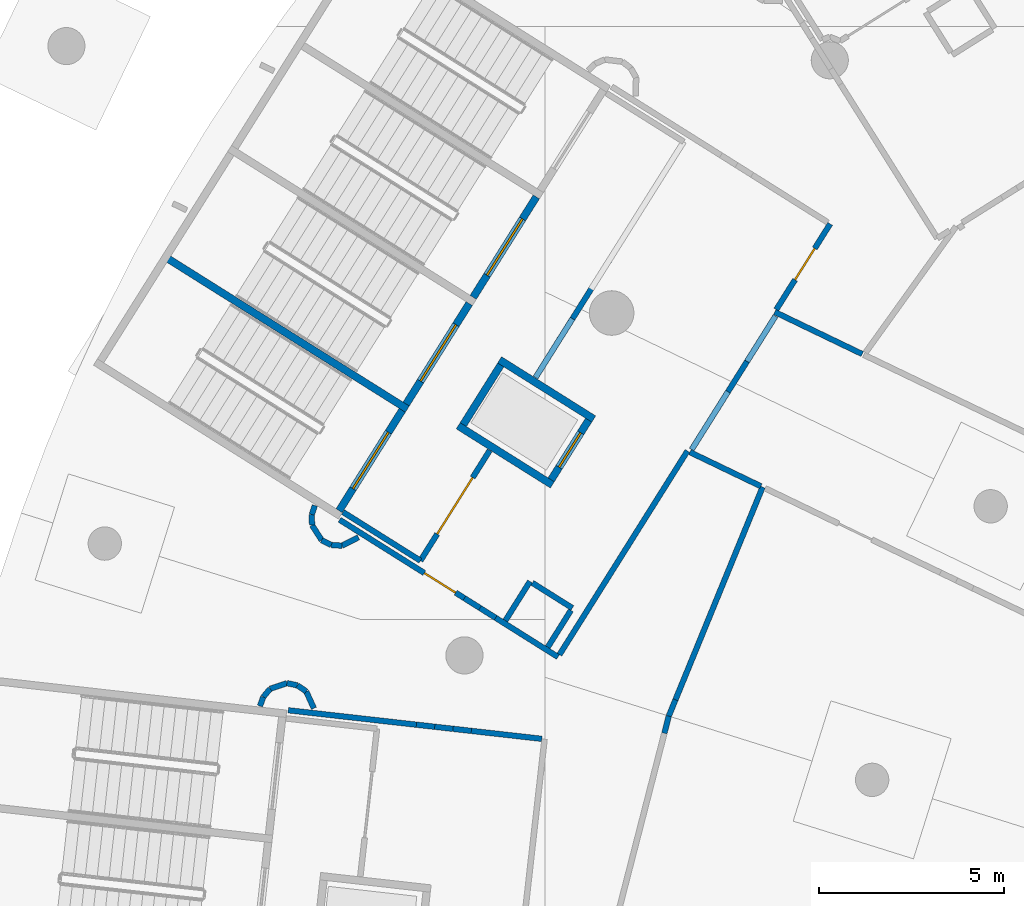
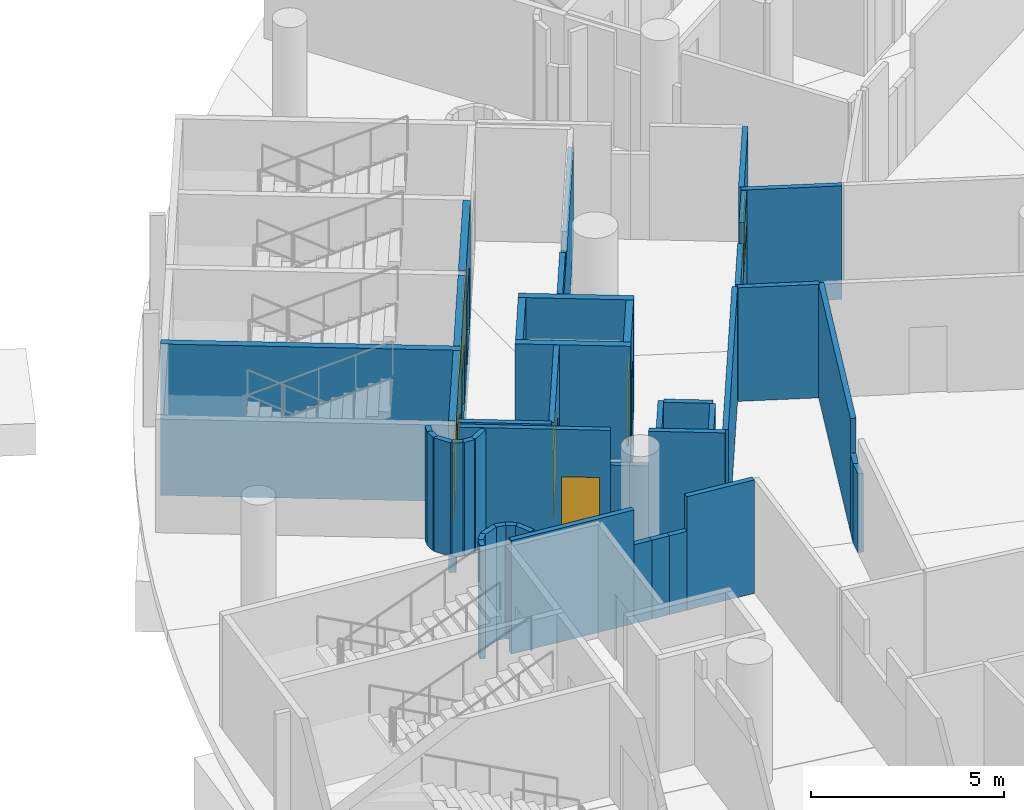
# One storey, part 69 of 142: 46 walls, 7 doors, 7 openings.
"""IFC4 building model written with IfcOpenShell, lengths in metres."""

import ifcopenshell
import ifcopenshell.guid

model = None  # the IFC model being written
_history = None  # IfcOwnerHistory: only IFC2X3 demands one
_inside = {}  # id of a spatial element -> (the spatial element, [elements in it])
_under = {}  # id of a project, library or spatial element -> (it, [spatial elements below it])
_declared = {}  # id of a project -> (the project, [libraries it declares])
_typed = {}  # id of a type object -> (the type object, [elements of that type])
_made_of = {}  # id of a material, layer set ... -> (it, [elements and type objects made of it])


def new_model(schema):
    """Start an empty IFC model of exactly this schema.

    Asked for "IFC4X3", IfcOpenShell would pick the latest addendum, in which some entities
    have other attributes; the version numbers below select the first issue.
    IFC2X3 requires an IfcOwnerHistory on every rooted entity: one is made here for all.
    """
    global model, _history
    if schema == "IFC4X3":
        model = ifcopenshell.file(schema_version=(4, 3, 0, 0))
    else:
        model = ifcopenshell.file(schema=schema)
    _inside.clear()
    _under.clear()
    _declared.clear()
    _typed.clear()
    _made_of.clear()
    _history = None
    if model.schema == "IFC2X3":
        org = make("IfcOrganization", Name="unknown")
        user = make(
            "IfcPersonAndOrganization",
            ThePerson=make("IfcPerson", FamilyName="unknown"),
            TheOrganization=org,
        )
        app = make(
            "IfcApplication",
            ApplicationDeveloper=org,
            Version="unknown",
            ApplicationFullName="unknown",
            ApplicationIdentifier="unknown",
        )
        _history = make(
            "IfcOwnerHistory",
            OwningUser=user,
            OwningApplication=app,
            ChangeAction="ADDED",
            CreationDate=0,
        )
    return model


def make(cls, **values):
    """One entity of the class cls with the attributes given. An attribute that is None is left unset."""
    return model.create_entity(
        cls, **{name: value for name, value in values.items() if value is not None}
    )


def rooted(cls, **values):
    """An entity with a GlobalId (a new one), such as an element, a storey or a relation."""
    return make(cls, GlobalId=ifcopenshell.guid.new(), OwnerHistory=_history, **values)


def si_unit(unit_type, name, prefix=None):
    """IfcSIUnit, for example si_unit("LENGTHUNIT", "METRE", prefix="MILLI")."""
    return make("IfcSIUnit", UnitType=unit_type, Prefix=prefix, Name=name)


def assignment(units):
    """IfcUnitAssignment: the units of a project."""
    return None if units is None else make("IfcUnitAssignment", Units=units)


def point(xyz):
    """IfcCartesianPoint."""
    return None if xyz is None else make("IfcCartesianPoint", Coordinates=xyz)


def direction(xyz):
    """IfcDirection."""
    return None if xyz is None else make("IfcDirection", DirectionRatios=xyz)


def frame(location, z_axis=None, x_axis=None):
    """IfcAxis2Placement3D, a coordinate frame: its origin and axes. An axis left out is left unset."""
    return make(
        "IfcAxis2Placement3D",
        Location=point(location),
        Axis=direction(z_axis),
        RefDirection=direction(x_axis),
    )


def frame_2d(location, x_axis=None):
    """IfcAxis2Placement2D, a coordinate frame in the plane: its origin and x axis."""
    return make(
        "IfcAxis2Placement2D", Location=point(location), RefDirection=direction(x_axis)
    )


def origin():
    """The frame at (0, 0, 0) with its axes left unset."""
    return frame((0.0, 0.0, 0.0))


def place(relative_to, where):
    """IfcLocalPlacement: puts the frame where relative to a parent placement (None: the world)."""
    return make(
        "IfcLocalPlacement", PlacementRelTo=relative_to, RelativePlacement=where
    )


def context(
    kind, dimensions, precision=None, world=None, true_north=None, identifier=None
):
    """IfcGeometricRepresentationContext, for example the 3D "Model" context."""
    return make(
        "IfcGeometricRepresentationContext",
        ContextIdentifier=identifier,
        ContextType=kind,
        CoordinateSpaceDimension=dimensions,
        Precision=precision,
        WorldCoordinateSystem=world,
        TrueNorth=true_north,
    )


def subcontext(parent, identifier, kind, view, scale=None):
    """IfcGeometricRepresentationSubContext, for example "Body" below "Model"."""
    return make(
        "IfcGeometricRepresentationSubContext",
        ContextIdentifier=identifier,
        ContextType=kind,
        ParentContext=parent,
        TargetScale=scale,
        TargetView=view,
    )


def project(units=None, contexts=None):
    """IfcProject with its units and contexts."""
    return rooted(
        "IfcProject",
        Name="project",
        RepresentationContexts=contexts,
        UnitsInContext=assignment(units),
    )


def spatial(cls, under=None, at=None, **own):
    """A site, building, storey or space (cls), placed at a placement, below another one or the project."""
    s = rooted(cls, ObjectPlacement=at, **own)
    if under is not None:
        _under.setdefault(under.id(), (under, []))[1].append(s)
    return s


def profile(cls, at=None, kind="AREA", **sizes):
    """A parametric profile (cls). Its sizes go by their IFC names, for example OverallWidth=200.0."""
    return make(cls, ProfileType=kind, Position=at, **sizes)


def rectangle(**sizes):
    """IfcRectangleProfileDef."""
    return profile("IfcRectangleProfileDef", **sizes)


def extrude(swept, where, along, depth):
    """IfcExtrudedAreaSolid: the profile swept, set in the frame where, extruded along a direction by depth."""
    return make(
        "IfcExtrudedAreaSolid",
        SweptArea=swept,
        Position=where,
        ExtrudedDirection=direction(along),
        Depth=depth,
    )


def shape(context_of_items, identifier, shape_type, items):
    """IfcShapeRepresentation: the items that make up one representation, for example the "Body"."""
    return make(
        "IfcShapeRepresentation",
        ContextOfItems=context_of_items,
        RepresentationIdentifier=identifier,
        RepresentationType=shape_type,
        Items=items,
    )


def material(Name=None, Category=None):
    """IfcMaterial."""
    return make("IfcMaterial", Name=Name, Category=Category)


def layer(
    of_material, thickness, ventilated=None, Name=None, Category=None, Priority=None
):
    """IfcMaterialLayer: one layer of a wall or slab, of a material (None: an air gap)."""
    return make(
        "IfcMaterialLayer",
        Material=of_material,
        LayerThickness=thickness,
        IsVentilated=ventilated,
        Name=Name,
        Category=Category,
        Priority=Priority,
    )


def layer_set(layers, Name=None):
    """IfcMaterialLayerSet."""
    return make("IfcMaterialLayerSet", MaterialLayers=layers, LayerSetName=Name)


def made_of(thing, what):
    """Note that an element or type object is made of a material, layer set ...; save() writes the relation."""
    if what is not None:
        _made_of.setdefault(what.id(), (what, []))[1].append(thing)
    return thing


def type_object(cls, material=None, **own):
    """A type object (cls), such as IfcWallType, which elements share."""
    return made_of(rooted(cls, **own), material)


def element(
    cls,
    number,
    at=None,
    inside=None,
    cuts=None,
    type_object=None,
    material=None,
    context=None,
    identifier="Body",
    shape_type=None,
    held_by="IfcProductDefinitionShape",
    body=None,
    shapes=None,
    **own,
):
    """One element of the class cls, such as IfcWall. Its Tag is "e" and its number.

    at: its placement. inside: the storey or other place that contains it. cuts: it is an
    opening in that element (IfcRelVoidsElement). A single representation is given by context,
    identifier, shape_type and body (its items); several are given by shapes. held_by: the class
    of the entity that holds the representations. save() writes the other relations.
    """
    e = rooted(cls, Tag="e%d" % number, ObjectPlacement=at, **own)
    if body is not None:
        shapes = [shape(context, identifier, shape_type, body)]
    if shapes is not None:
        e.Representation = make(held_by, Representations=shapes)
    if inside is not None:
        _inside.setdefault(inside.id(), (inside, []))[1].append(e)
    if cuts is not None:
        rooted(
            "IfcRelVoidsElement", RelatingBuildingElement=cuts, RelatedOpeningElement=e
        )
    if type_object is not None:
        _typed.setdefault(type_object.id(), (type_object, []))[1].append(e)
    return made_of(e, material)


def fill(opening, filler):
    """IfcRelFillsElement: the door or window that sits in an opening."""
    return rooted(
        "IfcRelFillsElement",
        RelatingOpeningElement=opening,
        RelatedBuildingElement=filler,
    )


def aggregate(whole, parts):
    """IfcRelAggregates: a whole, such as a stair, and the parts it consists of."""
    return rooted("IfcRelAggregates", RelatingObject=whole, RelatedObjects=parts)


def save(model, path):
    """Write the relations noted so far, then the file.

    IfcRelAggregates (storeys below a building ...), IfcRelContainedInSpatialStructure (elements
    in a storey), IfcRelDefinesByType, IfcRelAssociatesMaterial and IfcRelDeclares: one each for
    every whole, place, type object, material and project.
    """
    for whole, parts in _under.values():
        aggregate(whole, parts)
    for where, things in _inside.values():
        rooted(
            "IfcRelContainedInSpatialStructure",
            RelatedElements=things,
            RelatingStructure=where,
        )
    for kind, things in _typed.values():
        rooted("IfcRelDefinesByType", RelatedObjects=things, RelatingType=kind)
    for what, things in _made_of.values():
        rooted("IfcRelAssociatesMaterial", RelatedObjects=things, RelatingMaterial=what)
    for by, libraries in _declared.values():
        rooted("IfcRelDeclares", RelatingContext=by, RelatedDefinitions=libraries)
    model.write(path)


model = new_model("IFC4")

# Units and contexts
model_context = context("Model", 3, precision=1e-05, world=origin(), true_north=direction((0.0, 1.0)))
body_context = subcontext(model_context, "Body", "Model", "MODEL_VIEW")
ifc_project = project(units=[si_unit("LENGTHUNIT", "METRE"), si_unit("AREAUNIT", "SQUARE_METRE"), si_unit("VOLUMEUNIT", "CUBIC_METRE"), si_unit("PLANEANGLEUNIT", "RADIAN"), si_unit("MASSUNIT", "GRAM", prefix="KILO")], contexts=[model_context])

# Site, building, storey
site_placement = place(None, origin())
site = spatial("IfcSite", under=ifc_project, at=site_placement, CompositionType="ELEMENT")
building_placement = place(site_placement, origin())
building = spatial("IfcBuilding", under=site, at=building_placement, Name="Meseta Stadium", CompositionType="ELEMENT")
storey_placement = place(building_placement, frame((0.0, 0.0, -4.0)))
storey = spatial("IfcBuildingStorey", under=building, at=storey_placement, Name="B1", CompositionType="ELEMENT", Elevation=-4.0)

# Wall
ifc_material_1 = material(Name="Concrete C40/50", Category="concrete")
ifc_layer_1 = layer(ifc_material_1, 0.199951171875)
ifc_layer_set_1 = layer_set([ifc_layer_1], Name="Core divider wall 200")
wall_type_1 = type_object("IfcWallType", Name="Core divider wall 200", PredefinedType="SHEAR", material=ifc_layer_set_1)
wall_1_placement = place(storey_placement, frame((-90.314453125, 73.8291015625, -1.199951171875), z_axis=(0.0, 0.0, 1.0), x_axis=(0.846722763703, -0.532034361135, 0.0)))
element("IfcWall", 1, at=wall_1_placement, inside=storey, type_object=wall_type_1, Name="Core 14 B1 stair B divider wall", PredefinedType="SHEAR", context=body_context, shape_type="SweptSolid", body=[
    extrude(rectangle(XDim=7.800048828125, YDim=0.199951171875, at=frame_2d((3.89990234375, 0.0))), origin(), (0.0, 0.0, 1.0), 4.800048828125),
])

# Wall, opening, door
ifc_material_2 = material(Name="Concrete C40/50", Category="concrete")
ifc_layer_2 = layer(ifc_material_2, 0.199951171875)
ifc_layer_set_2 = layer_set([ifc_layer_2], Name="Core shaft wall 200")
wall_type_2 = type_object("IfcWallType", Name="Core shaft wall 200", PredefinedType="SHEAR", material=ifc_layer_set_2)
wall_2_placement = place(storey_placement, frame((-80.22998046875, 75.405517578125, -1.199951171875), z_axis=(0.0, 0.0, 1.0), x_axis=(-0.53206841829, -0.84670136309, 0.0)))
wall_2 = element("IfcWall", 2, at=wall_2_placement, inside=storey, type_object=wall_type_2, Name="Core 14 B1 stair A2 inner end wall", PredefinedType="SHEAR", context=body_context, shape_type="SweptSolid", body=[
    extrude(rectangle(XDim=3.199951171875, YDim=0.199951171875, at=frame_2d((1.60009765625, 0.0))), origin(), (0.0, 0.0, 1.0), 4.800048828125),
])
opening_1_placement = place(wall_2_placement, frame((0.699951171875, 0.0, 1.199951171875)))
opening_1 = element("IfcOpeningElement", 3, at=opening_1_placement, cuts=wall_2, Name="Opening D188", PredefinedType="OPENING", context=body_context, shape_type="SweptSolid", body=[
    extrude(rectangle(XDim=1.800048828125, YDim=2.10009765625, at=frame_2d((0.89990234375, 1.050048828125))), frame((0.0, 0.10986328125, 0.0), z_axis=(0.0, -1.0, 0.0), x_axis=(1.0, 0.0, 0.0)), (0.0, 0.0, 1.0), 0.219970703125),
])
ifc_material_3 = material(Name="Steel", Category="steel")
door_type_1 = type_object("IfcDoorType", Name="Stair door 1800x2100", OperationType="DOUBLE_DOOR_SINGLE_SWING", PredefinedType="DOOR", material=ifc_material_3)
door_1_placement = place(opening_1_placement, origin())
door_1 = element("IfcDoor", 4, at=door_1_placement, inside=storey, type_object=door_type_1, Name="Stair A2 door 14 B1", OperationType="DOUBLE_DOOR_SINGLE_SWING", OverallHeight=2.10009765625, OverallWidth=1.800048828125, PredefinedType="DOOR", context=body_context, shape_type="SweptSolid", body=[
    extrude(rectangle(XDim=1.800048828125, YDim=2.10009765625, at=frame_2d((0.89990234375, 1.050048828125))), frame((0.0, 0.02490234375, 0.0), z_axis=(0.0, -1.0, 0.0), x_axis=(1.0, 0.0, 0.0)), (0.0, 0.0, 1.0), 0.050048828125),
])
fill(opening_1, door_1)

wall_3_placement = place(storey_placement, frame((-82.0390625, 72.526611328125, -1.199951171875), z_axis=(0.0, 0.0, 1.0), x_axis=(-0.532013720158, -0.846735733015, 0.0)))
wall_3 = element("IfcWall", 5, at=wall_3_placement, inside=storey, type_object=wall_type_2, Name="Core 14 B1 stair B1 inner end wall", PredefinedType="SHEAR", context=body_context, shape_type="SweptSolid", body=[
    extrude(rectangle(XDim=3.199951171875, YDim=0.199951171875, at=frame_2d((1.60009765625, 0.0))), origin(), (0.0, 0.0, 1.0), 4.800048828125),
])
opening_2_placement = place(wall_3_placement, frame((0.673095703125, 0.0, 1.199951171875)))
opening_2 = element("IfcOpeningElement", 6, at=opening_2_placement, cuts=wall_3, Name="Opening D189", PredefinedType="OPENING", context=body_context, shape_type="SweptSolid", body=[
    extrude(rectangle(XDim=1.800048828125, YDim=2.10009765625, at=frame_2d((0.89990234375, 1.050048828125))), frame((0.0, 0.10986328125, 0.0), z_axis=(0.0, -1.0, 0.0), x_axis=(1.0, 0.0, 0.0)), (0.0, 0.0, 1.0), 0.219970703125),
])
door_2_placement = place(opening_2_placement, origin())
door_2 = element("IfcDoor", 7, at=door_2_placement, inside=storey, type_object=door_type_1, Name="Stair B1 door 14 B1", OperationType="DOUBLE_DOOR_SINGLE_SWING", OverallHeight=2.10009765625, OverallWidth=1.800048828125, PredefinedType="DOOR", context=body_context, shape_type="SweptSolid", body=[
    extrude(rectangle(XDim=1.800048828125, YDim=2.10009765625, at=frame_2d((0.89990234375, 1.050048828125))), frame((0.0, 0.02490234375, 0.0), z_axis=(0.0, -1.0, 0.0), x_axis=(1.0, 0.0, 0.0)), (0.0, 0.0, 1.0), 0.050048828125),
])
fill(opening_2, door_2)

wall_4_placement = place(storey_placement, frame((-83.847900390625, 69.647705078125, -1.199951171875), z_axis=(0.0, 0.0, 1.0), x_axis=(-0.532013720158, -0.846735733015, 0.0)))
wall_4 = element("IfcWall", 8, at=wall_4_placement, inside=storey, type_object=wall_type_2, Name="Core 14 B1 stair B2 inner end wall", PredefinedType="SHEAR", context=body_context, shape_type="SweptSolid", body=[
    extrude(rectangle(XDim=3.199951171875, YDim=0.199951171875, at=frame_2d((1.60009765625, 0.0))), origin(), (0.0, 0.0, 1.0), 4.800048828125),
])
opening_3_placement = place(wall_4_placement, frame((0.699951171875, 0.0, 1.199951171875)))
opening_3 = element("IfcOpeningElement", 9, at=opening_3_placement, cuts=wall_4, Name="Opening D190", PredefinedType="OPENING", context=body_context, shape_type="SweptSolid", body=[
    extrude(rectangle(XDim=1.800048828125, YDim=2.10009765625, at=frame_2d((0.89990234375, 1.050048828125))), frame((0.0, 0.10986328125, 0.0), z_axis=(0.0, -1.0, 0.0), x_axis=(1.0, 0.0, 0.0)), (0.0, 0.0, 1.0), 0.219970703125),
])
door_3_placement = place(opening_3_placement, origin())
door_3 = element("IfcDoor", 10, at=door_3_placement, inside=storey, type_object=door_type_1, Name="Stair B2 door 14 B1", OperationType="DOUBLE_DOOR_SINGLE_SWING", OverallHeight=2.10009765625, OverallWidth=1.800048828125, PredefinedType="DOOR", context=body_context, shape_type="SweptSolid", body=[
    extrude(rectangle(XDim=1.800048828125, YDim=2.10009765625, at=frame_2d((0.89990234375, 1.050048828125))), frame((0.0, 0.02490234375, 0.0), z_axis=(0.0, -1.0, 0.0), x_axis=(1.0, 0.0, 0.0)), (0.0, 0.0, 1.0), 0.050048828125),
])
fill(opening_3, door_3)

# Walls
for number, where, z_axis, x_axis, name in (
    (11, (-81.22119140625, 71.0087890625, -1.199951171875), (0.0, 0.0, 1.0), (0.846757002027, -0.531979867588, 0.0), "Core 14 B1 lift shaft wall left"),
    (12, (-82.33837890625, 69.230712890625, -1.199951171875), (0.0, 0.0, 1.0), (0.846757002027, -0.531979867588, 0.0), "Core 14 B1 lift shaft wall right"),
):
    element("IfcWall", number, at=place(storey_placement, frame(where, z_axis=z_axis, x_axis=x_axis)), inside=storey, type_object=wall_type_2, Name=name, PredefinedType="SHEAR", context=body_context, shape_type="SweptSolid", body=[
        extrude(rectangle(XDim=3.0, YDim=0.199951171875, at=frame_2d((1.5, 0.0))), origin(), (0.0, 0.0, 1.0), 4.800048828125),
    ])
wall_5_placement = place(storey_placement, frame((-81.189697265625, 70.87109375, -1.199951171875), z_axis=(0.0, 0.0, 1.0), x_axis=(-0.531961007765, -0.846768850524, 0.0)))
element("IfcWall", 13, at=wall_5_placement, inside=storey, type_object=wall_type_2, Name="Core 14 B1 lift shaft back wall", PredefinedType="SHEAR", context=body_context, shape_type="SweptSolid", body=[
    extrude(rectangle(XDim=1.900146484375, YDim=0.199951171875, at=frame_2d((0.9501953125, 0.0))), origin(), (0.0, 0.0, 1.0), 4.800048828125),
])

# Wall, opening, door
wall_6_placement = place(storey_placement, frame((-78.81884765625, 69.38134765625, -1.199951171875), z_axis=(0.0, 0.0, 1.0), x_axis=(-0.532018892235, -0.846732483318, 0.0)))
wall_6 = element("IfcWall", 14, at=wall_6_placement, inside=storey, type_object=wall_type_2, Name="Core 14 B1 lift shaft front wall", PredefinedType="SHEAR", context=body_context, shape_type="SweptSolid", body=[
    extrude(rectangle(XDim=1.89990234375, YDim=0.199951171875, at=frame_2d((0.949951171875, 0.0))), origin(), (0.0, 0.0, 1.0), 4.800048828125),
])
opening_4_placement = place(wall_6_placement, frame((0.39990234375, 0.0, 1.199951171875)))
opening_4 = element("IfcOpeningElement", 15, at=opening_4_placement, cuts=wall_6, Name="Opening LD73", PredefinedType="OPENING", context=body_context, shape_type="SweptSolid", body=[
    extrude(rectangle(XDim=1.10009765625, YDim=2.10009765625, at=frame_2d((0.550048828125, 1.050048828125))), frame((0.0, 0.10986328125, 0.0), z_axis=(0.0, -1.0, 0.0), x_axis=(1.0, 0.0, 0.0)), (0.0, 0.0, 1.0), 0.219970703125),
])
ifc_material_4 = material(Name="Steel", Category="steel")
door_type_2 = type_object("IfcDoorType", Name="Lift landing door 1100x2100", OperationType="SLIDING_TO_LEFT", PredefinedType="DOOR", material=ifc_material_4)
door_4_placement = place(opening_4_placement, origin())
door_4 = element("IfcDoor", 16, at=door_4_placement, inside=storey, type_object=door_type_2, Name="Lift landing door LD73", OperationType="SLIDING_TO_LEFT", OverallHeight=2.10009765625, OverallWidth=1.10009765625, PredefinedType="DOOR", context=body_context, shape_type="SweptSolid", body=[
    extrude(rectangle(XDim=1.10009765625, YDim=2.10009765625, at=frame_2d((0.550048828125, 1.050048828125))), frame((0.0, 0.02490234375, 0.0), z_axis=(0.0, -1.0, 0.0), x_axis=(1.0, 0.0, 0.0)), (0.0, 0.0, 1.0), 0.050048828125),
])
fill(opening_4, door_4)

# Wall
ifc_material_5 = material(Name="Masonry blockwork", Category="masonry")
ifc_layer_3 = layer(ifc_material_5, 0.14990234375)
ifc_layer_set_3 = layer_set([ifc_layer_3], Name="Partition 150")
wall_type_3 = type_object("IfcWallType", Name="Partition 150", PredefinedType="PARTITIONING", material=ifc_layer_set_3)
wall_7_placement = place(storey_placement, frame((-71.437255859375, 71.165283203125, 0.0), z_axis=(0.0, 0.0, 1.0), x_axis=(-0.901204092293, 0.433394951556, 0.0)))
element("IfcWall", 17, at=wall_7_placement, inside=storey, type_object=wall_type_3, Name="Partition B1 B1-cell12-3-0", PredefinedType="PARTITIONING", context=body_context, shape_type="SweptSolid", body=[
    extrude(rectangle(XDim=2.61767578125, YDim=0.14990234375, at=frame_2d((1.308837890625, 0.0))), origin(), (0.0, 0.0, 1.0), 3.60009765625),
])

# Wall, opening, door
wall_8_placement = place(storey_placement, frame((-73.756103515625, 72.36376953125, 0.0), z_axis=(0.0, 0.0, 1.0), x_axis=(0.532054374811, 0.846710187871, 0.0)))
wall_8 = element("IfcWall", 18, at=wall_8_placement, inside=storey, type_object=wall_type_3, Name="Partition B1 B1-cell12-3-0", PredefinedType="PARTITIONING", context=body_context, shape_type="SweptSolid", body=[
    extrude(rectangle(XDim=2.731201171875, YDim=0.14990234375, at=frame_2d((1.36572265625, 0.0))), origin(), (0.0, 0.0, 1.0), 3.60009765625),
])
opening_5_placement = place(wall_8_placement, frame((0.949951171875, 0.0, 0.0)))
opening_5 = element("IfcOpeningElement", 19, at=opening_5_placement, cuts=wall_8, Name="Opening D469", PredefinedType="OPENING", context=body_context, shape_type="SweptSolid", body=[
    extrude(rectangle(XDim=1.0, YDim=2.10009765625, at=frame_2d((0.5, 1.050048828125))), frame((0.0, 0.0849609375, 0.0), z_axis=(0.0, -1.0, 0.0), x_axis=(1.0, 0.0, 0.0)), (0.0, 0.0, 1.0), 0.169921875),
])
ifc_material_6 = material(Name="Steel", Category="steel")
door_type_3 = type_object("IfcDoorType", Name="Fire door 1000x2100 EI2 60", OperationType="NOTDEFINED", PredefinedType="DOOR", material=ifc_material_6)
door_5_placement = place(opening_5_placement, origin())
door_5 = element("IfcDoor", 20, at=door_5_placement, inside=storey, type_object=door_type_3, Name="Door D469", OperationType="SINGLE_SWING_RIGHT", OverallHeight=2.10009765625, OverallWidth=1.0, PredefinedType="DOOR", context=body_context, shape_type="SweptSolid", body=[
    extrude(rectangle(XDim=1.0, YDim=2.10009765625, at=frame_2d((0.5, 1.050048828125))), frame((0.0, 0.02490234375, 0.0), z_axis=(0.0, -1.0, 0.0), x_axis=(1.0, 0.0, 0.0)), (0.0, 0.0, 1.0), 0.050048828125),
])
fill(opening_5, door_5)

# Walls
wall_9_placement = place(storey_placement, frame((-76.775146484375, 60.935791015625, 0.0), z_axis=(0.0, 0.0, 1.0), x_axis=(0.248917503773, 0.968524690607, 0.0)))
element("IfcWall", 21, at=wall_9_placement, inside=storey, type_object=wall_type_3, Name="Partition B1 B1-cell13-2-0", PredefinedType="PARTITIONING", context=body_context, shape_type="SweptSolid", body=[
    extrude(rectangle(XDim=0.4765625, YDim=0.14990234375, at=frame_2d((0.23828125, 0.0))), origin(), (0.0, 0.0, 1.0), 2.5),
])
wall_10_placement = place(storey_placement, frame((-76.656494140625, 61.3974609375, 0.0), z_axis=(0.0, 0.0, 1.0), x_axis=(0.379230600794, 0.925302194649, 0.0)))
element("IfcWall", 22, at=wall_10_placement, inside=storey, type_object=wall_type_3, Name="Partition B1 B1-cell13-2-0", PredefinedType="PARTITIONING", context=body_context, shape_type="SweptSolid", body=[
    extrude(rectangle(XDim=0.47705078125, YDim=0.14990234375, at=frame_2d((0.238525390625, 0.0))), origin(), (0.0, 0.0, 1.0), 2.5),
])
wall_11_placement = place(storey_placement, frame((-76.4755859375, 61.8388671875, 0.0), z_axis=(0.0, 0.0, 1.0), x_axis=(0.3791112098, 0.92535111747, 0.0)))
element("IfcWall", 23, at=wall_11_placement, inside=storey, type_object=wall_type_3, Name="Partition B1 B1-cell13-2-0", PredefinedType="PARTITIONING", context=body_context, shape_type="SweptSolid", body=[
    extrude(rectangle(XDim=6.19970703125, YDim=0.14990234375, at=frame_2d((3.099853515625, 0.0))), origin(), (0.0, 0.0, 1.0), 3.60009765625),
])
wall_12_placement = place(storey_placement, frame((-80.081787109375, 60.78369140625, 0.0), z_axis=(0.0, 0.0, 1.0), x_axis=(-0.993706666168, 0.112013667081, 0.0)))
element("IfcWall", 24, at=wall_12_placement, inside=storey, type_object=wall_type_3, Name="Partition B1 B1-cell13-3-0", PredefinedType="PARTITIONING", context=body_context, shape_type="SweptSolid", body=[
    extrude(rectangle(XDim=1.91357421875, YDim=0.14990234375, at=frame_2d((0.956787109375, 0.0))), origin(), (0.0, 0.0, 1.0), 3.60009765625),
])
wall_13_placement = place(storey_placement, frame((-81.9833984375, 60.998046875, 0.0), z_axis=(0.0, 0.0, 1.0), x_axis=(-0.99371494251, 0.111940220797, 0.0)))
element("IfcWall", 25, at=wall_13_placement, inside=storey, type_object=wall_type_3, Name="Partition B1 B1-cell13-3-0", PredefinedType="PARTITIONING", context=body_context, shape_type="SweptSolid", body=[
    extrude(rectangle(XDim=0.497314453125, YDim=0.14990234375, at=frame_2d((0.24853515625, 0.0))), origin(), (0.0, 0.0, 1.0), 2.5),
])
wall_14_placement = place(storey_placement, frame((-82.4775390625, 61.0537109375, 0.0), z_axis=(0.0, 0.0, 1.0), x_axis=(-0.993708785902, 0.111994860695, 0.0)))
element("IfcWall", 26, at=wall_14_placement, inside=storey, type_object=wall_type_3, Name="Partition B1 B1-cell13-3-0", PredefinedType="PARTITIONING", context=body_context, shape_type="SweptSolid", body=[
    extrude(rectangle(XDim=0.4970703125, YDim=0.14990234375, at=frame_2d((0.24853515625, 0.0))), origin(), (0.0, 0.0, 1.0), 2.5),
])
wall_15_placement = place(storey_placement, frame((-82.971435546875, 61.109375, 0.0), z_axis=(0.0, 0.0, 1.0), x_axis=(-0.99371494251, 0.111940220797, 0.0)))
element("IfcWall", 27, at=wall_15_placement, inside=storey, type_object=wall_type_3, Name="Partition B1 B1-cell13-3-0", PredefinedType="PARTITIONING", context=body_context, shape_type="SweptSolid", body=[
    extrude(rectangle(XDim=0.497314453125, YDim=0.14990234375, at=frame_2d((0.24853515625, 0.0))), origin(), (0.0, 0.0, 1.0), 2.5),
])
wall_16_placement = place(storey_placement, frame((-83.465576171875, 61.1650390625, 0.0), z_axis=(0.0, 0.0, 1.0), x_axis=(-0.993711425552, 0.111971437107, 0.0)))
element("IfcWall", 28, at=wall_16_placement, inside=storey, type_object=wall_type_3, Name="Partition B1 B1-cell13-3-0", PredefinedType="PARTITIONING", context=body_context, shape_type="SweptSolid", body=[
    extrude(rectangle(XDim=3.47998046875, YDim=0.14990234375, at=frame_2d((1.739990234375, 0.0))), origin(), (0.0, 0.0, 1.0), 3.60009765625),
])

# Wall, opening, door
wall_17_placement = place(storey_placement, frame((-85.5380859375, 66.694580078125, 0.0), z_axis=(0.0, 0.0, 1.0), x_axis=(0.84671635408, -0.532044561793, 0.0)))
wall_17 = element("IfcWall", 29, at=wall_17_placement, inside=storey, type_object=wall_type_3, Name="Partition B1 B1-cell13-3-0", PredefinedType="PARTITIONING", context=body_context, shape_type="SweptSolid", body=[
    extrude(rectangle(XDim=3.97705078125, YDim=0.14990234375, at=frame_2d((1.988525390625, 0.0))), origin(), (0.0, 0.0, 1.0), 3.60009765625),
])
opening_6_placement = place(wall_17_placement, frame((2.699951171875, 0.0, 0.0)))
opening_6 = element("IfcOpeningElement", 30, at=opening_6_placement, cuts=wall_17, Name="Opening D472", PredefinedType="OPENING", context=body_context, shape_type="SweptSolid", body=[
    extrude(rectangle(XDim=1.0, YDim=2.10009765625, at=frame_2d((0.5, 1.050048828125))), frame((0.0, 0.0849609375, 0.0), z_axis=(0.0, -1.0, 0.0), x_axis=(1.0, 0.0, 0.0)), (0.0, 0.0, 1.0), 0.169921875),
])
door_6_placement = place(opening_6_placement, origin())
door_6 = element("IfcDoor", 31, at=door_6_placement, inside=storey, type_object=door_type_3, Name="Door D472", OperationType="SINGLE_SWING_RIGHT", OverallHeight=2.10009765625, OverallWidth=1.0, PredefinedType="DOOR", context=body_context, shape_type="SweptSolid", body=[
    extrude(rectangle(XDim=1.0, YDim=2.10009765625, at=frame_2d((0.5, 1.050048828125))), frame((0.0, 0.02490234375, 0.0), z_axis=(0.0, -1.0, 0.0), x_axis=(1.0, 0.0, 0.0)), (0.0, 0.0, 1.0), 0.050048828125),
])
fill(opening_6, door_6)

# Walls
for number, where, z_axis, x_axis, name in (
    (32, (-82.170654296875, 64.57861328125, 0.0), (0.0, 0.0, 1.0), (0.846560685875, -0.532292217801, 0.0), "Partition B1 B1-cell13-3-0"),
    (33, (-81.749755859375, 64.31396484375, 0.0), (0.0, 0.0, 1.0), (0.846781943841, -0.531940165418, 0.0), "Partition B1 B1-cell13-3-0"),
):
    element("IfcWall", number, at=place(storey_placement, frame(where, z_axis=z_axis, x_axis=x_axis)), inside=storey, type_object=wall_type_3, Name=name, PredefinedType="PARTITIONING", context=body_context, shape_type="SweptSolid", body=[
        extrude(rectangle(XDim=0.4970703125, YDim=0.14990234375, at=frame_2d((0.24853515625, 0.0))), origin(), (0.0, 0.0, 1.0), 2.5),
    ])
wall_18_placement = place(storey_placement, frame((-81.328857421875, 64.049560546875, 0.0), z_axis=(0.0, 0.0, 1.0), x_axis=(0.84670607735, -0.532060916229, 0.0)))
element("IfcWall", 34, at=wall_18_placement, inside=storey, type_object=wall_type_3, Name="Partition B1 B1-cell13-3-0", PredefinedType="PARTITIONING", context=body_context, shape_type="SweptSolid", body=[
    extrude(rectangle(XDim=1.98876953125, YDim=0.14990234375, at=frame_2d((0.994384765625, 0.0))), origin(), (0.0, 0.0, 1.0), 3.60009765625),
])
wall_19_placement = place(storey_placement, frame((-79.605224609375, 63.054931640625, 0.0), z_axis=(0.0, 0.0, 1.0), x_axis=(0.532032873767, 0.846723698281, 0.0)))
element("IfcWall", 35, at=wall_19_placement, inside=storey, type_object=wall_type_3, Name="Partition B1 B1-cell13-3-0", PredefinedType="PARTITIONING", context=body_context, shape_type="SweptSolid", body=[
    extrude(rectangle(XDim=6.490478515625, YDim=0.14990234375, at=frame_2d((3.2451171875, 0.0))), origin(), (0.0, 0.0, 1.0), 3.60009765625),
])
wall_20_placement = place(storey_placement, frame((-76.083984375, 68.517822265625, 0.0), z_axis=(0.0, 0.0, 1.0), x_axis=(0.901196299468, -0.433411155631, 0.0)))
element("IfcWall", 36, at=wall_20_placement, inside=storey, type_object=wall_type_3, Name="Partition B1 B1-cell13-3-0", PredefinedType="PARTITIONING", context=body_context, shape_type="SweptSolid", body=[
    extrude(rectangle(XDim=2.12353515625, YDim=0.14990234375, at=frame_2d((1.061767578125, 0.0))), origin(), (0.0, 0.0, 1.0), 3.60009765625),
])
wall_21_placement = place(storey_placement, frame((-80.400634765625, 65.03125, 0.0), z_axis=(0.0, 0.0, 1.0), x_axis=(-0.532035438589, -0.846722086688, 0.0)))
element("IfcWall", 37, at=wall_21_placement, inside=storey, type_object=wall_type_3, Name="Pressurisation shaft wall B1 core 14", PredefinedType="PARTITIONING", context=body_context, shape_type="SweptSolid", body=[
    extrude(rectangle(XDim=1.2490234375, YDim=0.14990234375, at=frame_2d((0.62451171875, 0.0))), origin(), (0.0, 0.0, 1.0), 3.60009765625),
])
wall_22_placement = place(storey_placement, frame((-79.922119140625, 63.25537109375, 0.0), z_axis=(0.0, 0.0, 1.0), x_axis=(0.531941549268, 0.846781074518, 0.0)))
element("IfcWall", 38, at=wall_22_placement, inside=storey, type_object=wall_type_3, Name="Pressurisation shaft wall B1 core 14", PredefinedType="PARTITIONING", context=body_context, shape_type="SweptSolid", body=[
    extrude(rectangle(XDim=1.174072265625, YDim=0.14990234375, at=frame_2d((0.5869140625, 0.0))), origin(), (0.0, 0.0, 1.0), 3.60009765625),
])
wall_23_placement = place(storey_placement, frame((-79.257568359375, 64.31298828125, 0.0), z_axis=(0.0, 0.0, 1.0), x_axis=(-0.846769635862, 0.531959757672, 0.0)))
element("IfcWall", 39, at=wall_23_placement, inside=storey, type_object=wall_type_3, Name="Pressurisation shaft wall B1 core 14", PredefinedType="PARTITIONING", context=body_context, shape_type="SweptSolid", body=[
    extrude(rectangle(XDim=1.27490234375, YDim=0.14990234375, at=frame_2d((0.637451171875, 0.0))), origin(), (0.0, 0.0, 1.0), 3.60009765625),
])
wall_24_placement = place(storey_placement, frame((-85.444091796875, 66.90087890625, 0.0), z_axis=(0.0, 0.0, 1.0), x_axis=(0.846783134152, -0.531938270588, 0.0)))
element("IfcWall", 40, at=wall_24_placement, inside=storey, type_object=wall_type_3, Name="Stair vestibule wall B1 core 14", PredefinedType="PARTITIONING", context=body_context, shape_type="SweptSolid", body=[
    extrude(rectangle(XDim=2.465087890625, YDim=0.14990234375, at=frame_2d((1.232421875, 0.0))), origin(), (0.0, 0.0, 1.0), 3.60009765625),
])

# Wall, opening, door
wall_25_placement = place(storey_placement, frame((-83.356689453125, 65.589599609375, 0.0), z_axis=(0.0, 0.0, 1.0), x_axis=(0.532007940343, 0.84673936451, 0.0)))
wall_25 = element("IfcWall", 41, at=wall_25_placement, inside=storey, type_object=wall_type_3, Name="Stair vestibule wall B1 core 14", PredefinedType="PARTITIONING", context=body_context, shape_type="SweptSolid", body=[
    extrude(rectangle(XDim=3.5146484375, YDim=0.14990234375, at=frame_2d((1.75732421875, 0.0))), origin(), (0.0, 0.0, 1.0), 3.60009765625),
])
opening_7_placement = place(wall_25_placement, frame((0.85009765625, 0.0, 0.0)))
opening_7 = element("IfcOpeningElement", 42, at=opening_7_placement, cuts=wall_25, Name="Opening D728", PredefinedType="OPENING", context=body_context, shape_type="SweptSolid", body=[
    extrude(rectangle(XDim=1.800048828125, YDim=2.10009765625, at=frame_2d((0.89990234375, 1.050048828125))), frame((0.0, 0.0849609375, 0.0), z_axis=(0.0, -1.0, 0.0), x_axis=(1.0, 0.0, 0.0)), (0.0, 0.0, 1.0), 0.169921875),
])
ifc_material_7 = material(Name="Steel", Category="steel")
door_type_4 = type_object("IfcDoorType", Name="Fire double door 1800x2100 EI2 60", OperationType="DOUBLE_DOOR_SINGLE_SWING", PredefinedType="DOOR", material=ifc_material_7)
door_7_placement = place(opening_7_placement, origin())
door_7 = element("IfcDoor", 43, at=door_7_placement, inside=storey, type_object=door_type_4, Name="Stair vestibule door B1 core 14", OperationType="DOUBLE_DOOR_SINGLE_SWING", OverallHeight=2.10009765625, OverallWidth=1.800048828125, PredefinedType="DOOR", context=body_context, shape_type="SweptSolid", body=[
    extrude(rectangle(XDim=1.800048828125, YDim=2.10009765625, at=frame_2d((0.89990234375, 1.050048828125))), frame((0.0, 0.02490234375, 0.0), z_axis=(0.0, -1.0, 0.0), x_axis=(1.0, 0.0, 0.0)), (0.0, 0.0, 1.0), 0.050048828125),
])
fill(opening_7, door_7)

# Walls
wall_26_placement = place(storey_placement, frame((-80.25244140625, 70.530029296875, 0.0), z_axis=(0.0, 0.0, 1.0), x_axis=(0.532029825572, 0.846725613586, 0.0)))
element("IfcWall", 44, at=wall_26_placement, inside=storey, type_object=wall_type_3, Name="Stair vestibule wall B1 core 14", PredefinedType="PARTITIONING", context=body_context, shape_type="SweptSolid", body=[
    extrude(rectangle(XDim=7.51513671875, YDim=0.14990234375, at=frame_2d((3.757568359375, 0.0))), origin(), (0.0, 0.0, 1.0), 3.0),
])
wall_27_placement = place(storey_placement, frame((-80.25244140625, 70.530029296875, 3.0), z_axis=(0.0, 0.0, 1.0), x_axis=(0.532099692959, 0.846681709235, 0.0)))
element("IfcWall", 45, at=wall_27_placement, inside=storey, type_object=wall_type_3, Name="Stair vestibule wall B1 core 14", PredefinedType="PARTITIONING", context=body_context, shape_type="SweptSolid", body=[
    extrude(rectangle(XDim=1.87890625, YDim=0.14990234375, at=frame_2d((0.939453125, 0.0))), origin(), (0.0, 0.0, 1.0), 0.60009765625),
])
wall_28_placement = place(storey_placement, frame((-86.205078125, 67.080078125, 0.0), z_axis=(0.0, 0.0, 1.0), x_axis=(-0.322191523859, -0.946674506868, 0.0)))
element("IfcWall", 46, at=wall_28_placement, inside=storey, type_object=wall_type_3, Name="Stair vestibule wall B1 core 14", PredefinedType="PARTITIONING", context=body_context, shape_type="SweptSolid", body=[
    extrude(rectangle(XDim=0.257568359375, YDim=0.14990234375, at=frame_2d((0.12890625, 0.0))), origin(), (0.0, 0.0, 1.0), 3.60009765625),
])
wall_29_placement = place(storey_placement, frame((-86.2880859375, 66.836181640625, 0.0), z_axis=(0.0, 0.0, 1.0), x_axis=(0.027108677756, -0.999632492264, 0.0)))
element("IfcWall", 47, at=wall_29_placement, inside=storey, type_object=wall_type_3, Name="Stair vestibule wall B1 core 14", PredefinedType="PARTITIONING", context=body_context, shape_type="SweptSolid", body=[
    extrude(rectangle(XDim=0.2880859375, YDim=0.14990234375, at=frame_2d((0.14404296875, 0.0))), origin(), (0.0, 0.0, 1.0), 3.60009765625),
])
wall_30_placement = place(storey_placement, frame((-86.2802734375, 66.548095703125, 0.0), z_axis=(0.0, 0.0, 1.0), x_axis=(0.538489767729, -0.842632049029, 0.0)))
element("IfcWall", 48, at=wall_30_placement, inside=storey, type_object=wall_type_3, Name="Stair vestibule wall B1 core 14", PredefinedType="PARTITIONING", context=body_context, shape_type="SweptSolid", body=[
    extrude(rectangle(XDim=0.479248046875, YDim=0.14990234375, at=frame_2d((0.23974609375, 0.0))), origin(), (0.0, 0.0, 1.0), 3.60009765625),
])
wall_31_placement = place(storey_placement, frame((-86.022216796875, 66.144287109375, 0.0), z_axis=(0.0, 0.0, 1.0), x_axis=(0.894427191, -0.4472135955, 0.0)))
element("IfcWall", 49, at=wall_31_placement, inside=storey, type_object=wall_type_3, Name="Stair vestibule wall B1 core 14", PredefinedType="PARTITIONING", context=body_context, shape_type="SweptSolid", body=[
    extrude(rectangle(XDim=0.289306640625, YDim=0.14990234375, at=frame_2d((0.14453125, 0.0))), origin(), (0.0, 0.0, 1.0), 3.60009765625),
])
wall_32_placement = place(storey_placement, frame((-85.763427734375, 66.014892578125, 0.0), z_axis=(0.0, 0.0, 1.0), x_axis=(0.997547794052, -0.06998856036, 0.0)))
element("IfcWall", 50, at=wall_32_placement, inside=storey, type_object=wall_type_3, Name="Stair vestibule wall B1 core 14", PredefinedType="PARTITIONING", context=body_context, shape_type="SweptSolid", body=[
    extrude(rectangle(XDim=0.28955078125, YDim=0.14990234375, at=frame_2d((0.144775390625, 0.0))), origin(), (0.0, 0.0, 1.0), 3.60009765625),
])
wall_33_placement = place(storey_placement, frame((-85.474609375, 65.99462890625, 0.0), z_axis=(0.0, 0.0, 1.0), x_axis=(0.890886791294, 0.45422541221, 0.0)))
element("IfcWall", 51, at=wall_33_placement, inside=storey, type_object=wall_type_3, Name="Stair vestibule wall B1 core 14", PredefinedType="PARTITIONING", context=body_context, shape_type="SweptSolid", body=[
    extrude(rectangle(XDim=0.50048828125, YDim=0.14990234375, at=frame_2d((0.250244140625, 0.0))), origin(), (0.0, 0.0, 1.0), 3.60009765625),
])
wall_34_placement = place(storey_placement, frame((-76.038818359375, 68.589599609375, 0.0), z_axis=(0.0, 0.0, 1.0), x_axis=(0.532005687212, 0.846740780153, 0.0)))
element("IfcWall", 52, at=wall_34_placement, inside=storey, type_object=wall_type_3, Name="Stair vestibule wall B1 core 14", PredefinedType="PARTITIONING", context=body_context, shape_type="SweptSolid", body=[
    extrude(rectangle(XDim=4.250732421875, YDim=0.14990234375, at=frame_2d((2.12548828125, 0.0))), origin(), (0.0, 0.0, 1.0), 2.5),
])
wall_35_placement = place(storey_placement, frame((-76.038818359375, 68.589599609375, 2.5), z_axis=(0.0, 0.0, 1.0), x_axis=(0.531997905063, 0.846745669613, 0.0)))
element("IfcWall", 53, at=wall_35_placement, inside=storey, type_object=wall_type_3, Name="Stair vestibule wall B1 core 14", PredefinedType="PARTITIONING", context=body_context, shape_type="SweptSolid", body=[
    extrude(rectangle(XDim=1.843017578125, YDim=0.14990234375, at=frame_2d((0.92138671875, 0.0))), origin(), (0.0, 0.0, 1.0), 1.10009765625),
])
wall_36_placement = place(storey_placement, frame((-74.5458984375, 70.9658203125, 2.5), z_axis=(0.0, 0.0, 1.0), x_axis=(0.532033089081, 0.84672356299, 0.0)))
element("IfcWall", 54, at=wall_36_placement, inside=storey, type_object=wall_type_3, Name="Stair vestibule wall B1 core 14", PredefinedType="PARTITIONING", context=body_context, shape_type="SweptSolid", body=[
    extrude(rectangle(XDim=1.444580078125, YDim=0.14990234375, at=frame_2d((0.72216796875, 0.0))), origin(), (0.0, 0.0, 1.0), 1.10009765625),
])
wall_37_placement = place(storey_placement, frame((-86.230712890625, 61.6064453125, 0.0), z_axis=(0.0, 0.0, 1.0), x_axis=(-0.413545730988, 0.910483348767, 0.0)))
element("IfcWall", 55, at=wall_37_placement, inside=storey, type_object=wall_type_3, Name="Stair vestibule wall B1 core 15", PredefinedType="PARTITIONING", context=body_context, shape_type="SweptSolid", body=[
    extrude(rectangle(XDim=0.500732421875, YDim=0.14990234375, at=frame_2d((0.25048828125, 0.0))), origin(), (0.0, 0.0, 1.0), 3.60009765625),
])
wall_38_placement = place(storey_placement, frame((-86.437744140625, 62.062255859375, 0.0), z_axis=(0.0, 0.0, 1.0), x_axis=(-0.823647755069, 0.567101732998, 0.0)))
element("IfcWall", 56, at=wall_38_placement, inside=storey, type_object=wall_type_3, Name="Stair vestibule wall B1 core 15", PredefinedType="PARTITIONING", context=body_context, shape_type="SweptSolid", body=[
    extrude(rectangle(XDim=0.289306640625, YDim=0.14990234375, at=frame_2d((0.14453125, 0.0))), origin(), (0.0, 0.0, 1.0), 3.60009765625),
])
wall_39_placement = place(storey_placement, frame((-86.676025390625, 62.226318359375, 0.0), z_axis=(0.0, 0.0, 1.0), x_axis=(-0.97799972908, 0.20860615983, 0.0)))
element("IfcWall", 57, at=wall_39_placement, inside=storey, type_object=wall_type_3, Name="Stair vestibule wall B1 core 15", PredefinedType="PARTITIONING", context=body_context, shape_type="SweptSolid", body=[
    extrude(rectangle(XDim=0.2890625, YDim=0.14990234375, at=frame_2d((0.14453125, 0.0))), origin(), (0.0, 0.0, 1.0), 3.60009765625),
])
wall_40_placement = place(storey_placement, frame((-86.958740234375, 62.28662109375, 0.0), z_axis=(0.0, 0.0, 1.0), x_axis=(-0.946315679365, -0.323243924904, 0.0)))
element("IfcWall", 58, at=wall_40_placement, inside=storey, type_object=wall_type_3, Name="Stair vestibule wall B1 core 15", PredefinedType="PARTITIONING", context=body_context, shape_type="SweptSolid", body=[
    extrude(rectangle(XDim=0.4794921875, YDim=0.14990234375, at=frame_2d((0.23974609375, 0.0))), origin(), (0.0, 0.0, 1.0), 3.60009765625),
])
wall_41_placement = place(storey_placement, frame((-87.41259765625, 62.131591796875, 0.0), z_axis=(0.0, 0.0, 1.0), x_axis=(-0.645257808193, -0.763964895114, 0.0)))
element("IfcWall", 59, at=wall_41_placement, inside=storey, type_object=wall_type_3, Name="Stair vestibule wall B1 core 15", PredefinedType="PARTITIONING", context=body_context, shape_type="SweptSolid", body=[
    extrude(rectangle(XDim=0.287841796875, YDim=0.14990234375, at=frame_2d((0.14404296875, 0.0))), origin(), (0.0, 0.0, 1.0), 3.60009765625),
])
wall_42_placement = place(storey_placement, frame((-87.598388671875, 61.91162109375, 0.0), z_axis=(0.0, 0.0, 1.0), x_axis=(-0.337477145114, -0.941333722187, 0.0)))
element("IfcWall", 60, at=wall_42_placement, inside=storey, type_object=wall_type_3, Name="Stair vestibule wall B1 core 15", PredefinedType="PARTITIONING", context=body_context, shape_type="SweptSolid", body=[
    extrude(rectangle(XDim=0.257568359375, YDim=0.14990234375, at=frame_2d((0.12890625, 0.0))), origin(), (0.0, 0.0, 1.0), 3.60009765625),
])

save(model, "model.ifc")
